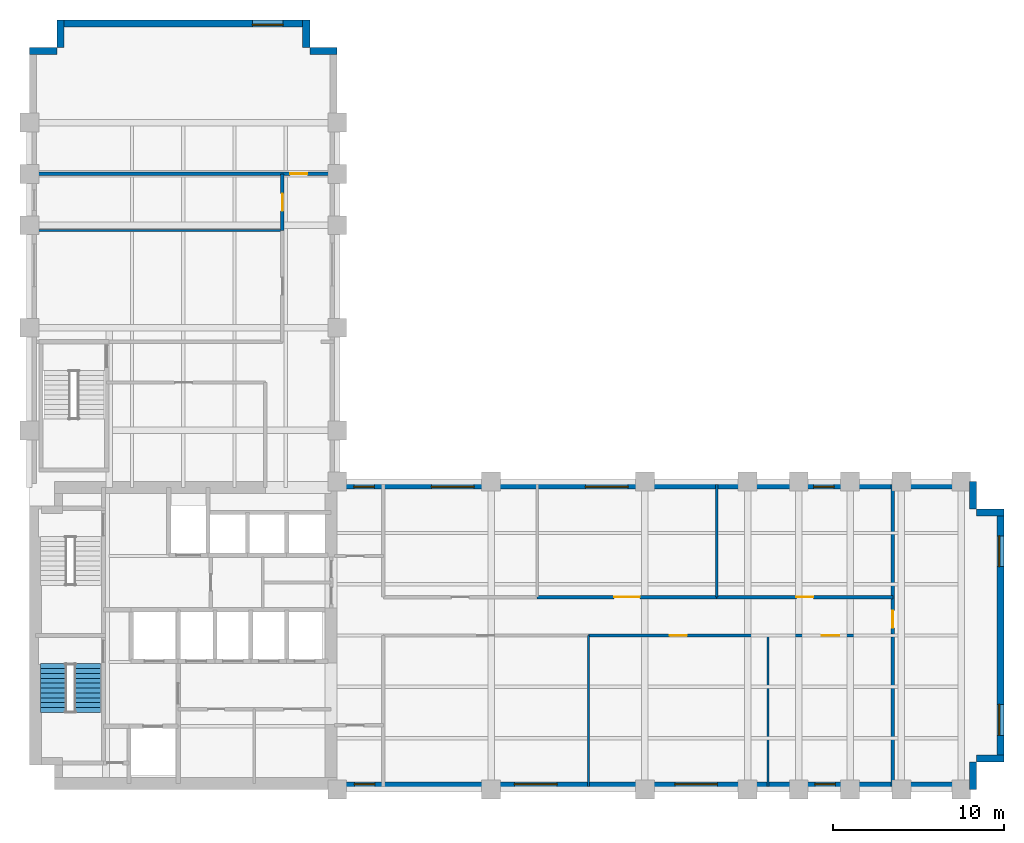
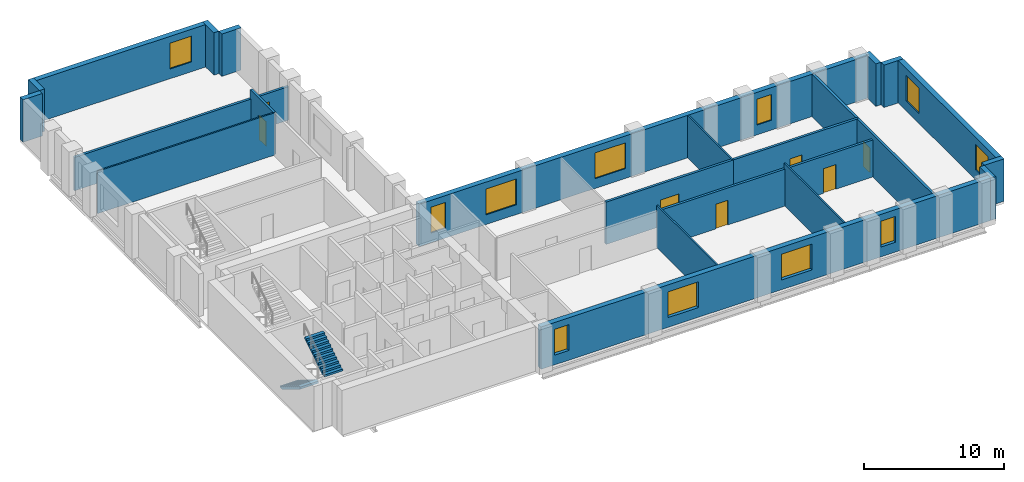
# One storey, part 5 of 7: 23 walls, 11 windows, 7 doors, 2 stair flights, 18 openings, 1 element without a shape of its own.
"""IFC4 building model written with IfcOpenShell, lengths in metres."""

from ifc_helpers import new_model, si_unit, direction, frame, frame_2d, origin, place, context, subcontext, project, spatial, polyline, rectangle, outline, extrude, material, layer, layer_set, type_object, element, fill, aggregate, save


model = new_model("IFC4")

# Units and contexts
model_context = context("Model", 3, precision=1e-05, world=origin(), true_north=direction((0.0, 1.0)))
body_context = subcontext(model_context, "Body", "Model", "MODEL_VIEW")
ifc_project = project(units=[si_unit("LENGTHUNIT", "METRE"), si_unit("AREAUNIT", "SQUARE_METRE"), si_unit("VOLUMEUNIT", "CUBIC_METRE"), si_unit("PLANEANGLEUNIT", "RADIAN"), si_unit("MASSUNIT", "GRAM", prefix="KILO")], contexts=[model_context])

# Site, building, storey
site_placement = place(None, origin())
site = spatial("IfcSite", under=ifc_project, at=site_placement, CompositionType="ELEMENT")
building_placement = place(site_placement, origin())
building = spatial("IfcBuilding", under=site, at=building_placement, Name="Mawjdan Bourse Tower", CompositionType="ELEMENT")
storey_placement = place(building_placement, frame((0.0, 0.0, 116.699951171875)))
storey = spatial("IfcBuildingStorey", under=building, at=storey_placement, Name="L27", CompositionType="ELEMENT", Elevation=116.699951171875)

# Wall, openings, windows
ifc_material_1 = material(Name="Brick Masonry Buff", Category="masonry")
ifc_layer_1 = layer(ifc_material_1, 0.419921875)
ifc_layer_set_1 = layer_set([ifc_layer_1], Name="Brick Masonry Buff")
wall_type_1 = type_object("IfcWallType", Name="WL-BRK-BUFF-420", PredefinedType="STANDARD", material=ifc_layer_set_1)
wall_1_placement = place(storey_placement, frame((23.89990234375, 3.2099609375, 0.0), z_axis=(0.0, 0.0, 1.0), x_axis=(1.0, 0.0, 0.0)))
wall_1 = element("IfcWall", 1, at=wall_1_placement, inside=storey, type_object=wall_type_1, Name="L27 Exterior Brick Wall 1", PredefinedType="STANDARD", context=body_context, shape_type="SweptSolid", body=[
    extrude(rectangle(XDim=37.5, YDim=0.419921875, at=frame_2d((18.75, 0.0))), origin(), (0.0, 0.0, 1.0), 3.699951171875),
])
opening_1_placement = place(wall_1_placement, frame((10.46875, 0.0, 0.85009765625)))
opening_1 = element("IfcOpeningElement", 2, at=opening_1_placement, cuts=wall_1, Name="Opening W-L27-01", PredefinedType="OPENING", context=body_context, shape_type="SweptSolid", body=[
    extrude(rectangle(XDim=2.5, YDim=2.25, at=frame_2d((1.25, 1.125))), frame((0.0, 0.219970703125, 0.0), z_axis=(0.0, -1.0, 0.0), x_axis=(1.0, 0.0, 0.0)), (0.0, 0.0, 1.0), 0.43994140625),
])
opening_2_placement = place(wall_1_placement, frame((19.84375, 0.0, 0.85009765625)))
opening_2 = element("IfcOpeningElement", 3, at=opening_2_placement, cuts=wall_1, Name="Opening W-L27-02", PredefinedType="OPENING", context=body_context, shape_type="SweptSolid", body=[
    extrude(rectangle(XDim=2.5, YDim=2.25, at=frame_2d((1.25, 1.125))), frame((0.0, 0.219970703125, 0.0), z_axis=(0.0, -1.0, 0.0), x_axis=(1.0, 0.0, 0.0)), (0.0, 0.0, 1.0), 0.43994140625),
])
opening_3_placement = place(wall_1_placement, frame((1.10009765625, 0.0, 0.85009765625)))
opening_3 = element("IfcOpeningElement", 4, at=opening_3_placement, cuts=wall_1, Name="Opening W-L27-08", PredefinedType="OPENING", context=body_context, shape_type="SweptSolid", body=[
    extrude(rectangle(XDim=1.199951171875, YDim=2.25, at=frame_2d((0.60009765625, 1.125))), frame((0.0, 0.219970703125, 0.0), z_axis=(0.0, -1.0, 0.0), x_axis=(1.0, 0.0, 0.0)), (0.0, 0.0, 1.0), 0.43994140625),
])
opening_4_placement = place(wall_1_placement, frame((28.0361328125, 0.0, 0.85009765625)))
opening_4 = element("IfcOpeningElement", 5, at=opening_4_placement, cuts=wall_1, Name="Opening W-L27-10", PredefinedType="OPENING", context=body_context, shape_type="SweptSolid", body=[
    extrude(rectangle(XDim=1.199951171875, YDim=2.25, at=frame_2d((0.60009765625, 1.125))), frame((0.0, 0.219970703125, 0.0), z_axis=(0.0, -1.0, 0.0), x_axis=(1.0, 0.0, 0.0)), (0.0, 0.0, 1.0), 0.43994140625),
])
ifc_material_2 = material(Name="Solar-Control Clear Double Glazing", Category="glass")
window_type_1 = type_object("IfcWindowType", Name="WN-Z2-1200", PartitioningType="SINGLE_PANEL", PredefinedType="WINDOW", material=ifc_material_2)
window_1_placement = place(opening_3_placement, origin())
window_1 = element("IfcWindow", 6, at=window_1_placement, inside=storey, type_object=window_type_1, Name="L27 Deep-Set Masonry Window W-L27-08", OverallHeight=2.25, OverallWidth=1.199951171875, PartitioningType="SINGLE_PANEL", PredefinedType="WINDOW", context=body_context, shape_type="SweptSolid", body=[
    extrude(rectangle(XDim=1.199951171875, YDim=2.25, at=frame_2d((0.60009765625, 1.125))), frame((0.0, 0.110107421875, 0.0), z_axis=(0.0, -1.0, 0.0), x_axis=(1.0, 0.0, 0.0)), (0.0, 0.0, 1.0), 0.06005859375),
])
fill(opening_3, window_1)
window_2_placement = place(opening_4_placement, origin())
window_2 = element("IfcWindow", 7, at=window_2_placement, inside=storey, type_object=window_type_1, Name="L27 Deep-Set Masonry Window W-L27-10", OverallHeight=2.25, OverallWidth=1.199951171875, PartitioningType="SINGLE_PANEL", PredefinedType="WINDOW", context=body_context, shape_type="SweptSolid", body=[
    extrude(rectangle(XDim=1.199951171875, YDim=2.25, at=frame_2d((0.60009765625, 1.125))), frame((0.0, 0.110107421875, 0.0), z_axis=(0.0, -1.0, 0.0), x_axis=(1.0, 0.0, 0.0)), (0.0, 0.0, 1.0), 0.06005859375),
])
fill(opening_4, window_2)
window_type_2 = type_object("IfcWindowType", Name="WN-Z2-2500", PartitioningType="SINGLE_PANEL", PredefinedType="WINDOW", material=ifc_material_2)
window_3_placement = place(opening_1_placement, origin())
window_3 = element("IfcWindow", 8, at=window_3_placement, inside=storey, type_object=window_type_2, Name="L27 Deep-Set Masonry Window W-L27-01", OverallHeight=2.25, OverallWidth=2.5, PartitioningType="SINGLE_PANEL", PredefinedType="WINDOW", context=body_context, shape_type="SweptSolid", body=[
    extrude(rectangle(XDim=2.5, YDim=2.25, at=frame_2d((1.25, 1.125))), frame((0.0, 0.110107421875, 0.0), z_axis=(0.0, -1.0, 0.0), x_axis=(1.0, 0.0, 0.0)), (0.0, 0.0, 1.0), 0.06005859375),
])
fill(opening_1, window_3)
window_4_placement = place(opening_2_placement, origin())
window_4 = element("IfcWindow", 9, at=window_4_placement, inside=storey, type_object=window_type_2, Name="L27 Deep-Set Masonry Window W-L27-02", OverallHeight=2.25, OverallWidth=2.5, PartitioningType="SINGLE_PANEL", PredefinedType="WINDOW", context=body_context, shape_type="SweptSolid", body=[
    extrude(rectangle(XDim=2.5, YDim=2.25, at=frame_2d((1.25, 1.125))), frame((0.0, 0.110107421875, 0.0), z_axis=(0.0, -1.0, 0.0), x_axis=(1.0, 0.0, 0.0)), (0.0, 0.0, 1.0), 0.06005859375),
])
fill(opening_2, window_4)

# Walls
for number, where, z_axis, x_axis, name in (
    (10, (61.18994140625, 3.0, 0.0), (0.0, 0.0, 1.0), (0.0, 1.0, 0.0), "L27 Exterior Brick Wall 2"),
    (11, (61.39990234375, 4.81005859375, 0.0), (0.0, 0.0, 1.0), (1.0, 0.0, 0.0), "L27 Exterior Brick Wall 3"),
):
    element("IfcWall", number, at=place(storey_placement, frame(where, z_axis=z_axis, x_axis=x_axis)), inside=storey, type_object=wall_type_1, Name=name, PredefinedType="STANDARD", context=body_context, shape_type="SweptSolid", body=[
        extrude(rectangle(XDim=1.60009765625, YDim=0.419921875, at=frame_2d((0.800048828125, 0.0))), origin(), (0.0, 0.0, 1.0), 3.699951171875),
    ])

# Wall, openings, windows
wall_2_placement = place(storey_placement, frame((62.7900390625, 4.60009765625, 0.0), z_axis=(0.0, 0.0, 1.0), x_axis=(0.0, 1.0, 0.0)))
wall_2 = element("IfcWall", 12, at=wall_2_placement, inside=storey, type_object=wall_type_1, Name="L27 Exterior Brick Wall 4", PredefinedType="STANDARD", context=body_context, shape_type="SweptSolid", body=[
    extrude(rectangle(XDim=14.7998046875, YDim=0.419921875, at=frame_2d((7.39990234375, 0.0))), origin(), (0.0, 0.0, 1.0), 3.699951171875),
])
opening_5_placement = place(wall_2_placement, frame((1.566650390625, 0.0, 0.85009765625)))
opening_5 = element("IfcOpeningElement", 13, at=opening_5_placement, cuts=wall_2, Name="Opening W-L27-03", PredefinedType="OPENING", context=body_context, shape_type="SweptSolid", body=[
    extrude(rectangle(XDim=1.800048828125, YDim=2.25, at=frame_2d((0.89990234375, 1.125))), frame((0.0, 0.219970703125, 0.0), z_axis=(0.0, -1.0, 0.0), x_axis=(1.0, 0.0, 0.0)), (0.0, 0.0, 1.0), 0.43994140625),
])
opening_6_placement = place(wall_2_placement, frame((11.433349609375, 0.0, 0.85009765625)))
opening_6 = element("IfcOpeningElement", 14, at=opening_6_placement, cuts=wall_2, Name="Opening W-L27-04", PredefinedType="OPENING", context=body_context, shape_type="SweptSolid", body=[
    extrude(rectangle(XDim=1.800048828125, YDim=2.25, at=frame_2d((0.89990234375, 1.125))), frame((0.0, 0.219970703125, 0.0), z_axis=(0.0, -1.0, 0.0), x_axis=(1.0, 0.0, 0.0)), (0.0, 0.0, 1.0), 0.43994140625),
])
window_type_3 = type_object("IfcWindowType", Name="WN-Z2-1800", PartitioningType="SINGLE_PANEL", PredefinedType="WINDOW", material=ifc_material_2)
window_5_placement = place(opening_5_placement, origin())
window_5 = element("IfcWindow", 15, at=window_5_placement, inside=storey, type_object=window_type_3, Name="L27 Deep-Set Masonry Window W-L27-03", OverallHeight=2.25, OverallWidth=1.800048828125, PartitioningType="SINGLE_PANEL", PredefinedType="WINDOW", context=body_context, shape_type="SweptSolid", body=[
    extrude(rectangle(XDim=1.800048828125, YDim=2.25, at=frame_2d((0.89990234375, 1.125))), frame((0.0, 0.110107421875, 0.0), z_axis=(0.0, -1.0, 0.0), x_axis=(1.0, 0.0, 0.0)), (0.0, 0.0, 1.0), 0.06005859375),
])
fill(opening_5, window_5)
window_6_placement = place(opening_6_placement, origin())
window_6 = element("IfcWindow", 16, at=window_6_placement, inside=storey, type_object=window_type_3, Name="L27 Deep-Set Masonry Window W-L27-04", OverallHeight=2.25, OverallWidth=1.800048828125, PartitioningType="SINGLE_PANEL", PredefinedType="WINDOW", context=body_context, shape_type="SweptSolid", body=[
    extrude(rectangle(XDim=1.800048828125, YDim=2.25, at=frame_2d((0.89990234375, 1.125))), frame((0.0, 0.110107421875, 0.0), z_axis=(0.0, -1.0, 0.0), x_axis=(1.0, 0.0, 0.0)), (0.0, 0.0, 1.0), 0.06005859375),
])
fill(opening_6, window_6)

# Walls
for number, where, z_axis, x_axis, name in (
    (17, (63.0, 19.18994140625, 0.0), (0.0, 0.0, 1.0), (-1.0, 0.0, 0.0), "L27 Exterior Brick Wall 5"),
    (18, (61.18994140625, 19.39990234375, 0.0), (0.0, 0.0, 1.0), (0.0, 1.0, 0.0), "L27 Exterior Brick Wall 6"),
):
    element("IfcWall", number, at=place(storey_placement, frame(where, z_axis=z_axis, x_axis=x_axis)), inside=storey, type_object=wall_type_1, Name=name, PredefinedType="STANDARD", context=body_context, shape_type="SweptSolid", body=[
        extrude(rectangle(XDim=1.60009765625, YDim=0.419921875, at=frame_2d((0.800048828125, 0.0))), origin(), (0.0, 0.0, 1.0), 3.699951171875),
    ])

# Wall, openings, windows
wall_3_placement = place(storey_placement, frame((61.39990234375, 20.7900390625, 0.0), z_axis=(0.0, 0.0, 1.0), x_axis=(-1.0, 0.0, 0.0)))
wall_3 = element("IfcWall", 19, at=wall_3_placement, inside=storey, type_object=wall_type_1, Name="L27 Exterior Brick Wall 7", PredefinedType="STANDARD", context=body_context, shape_type="SweptSolid", body=[
    extrude(rectangle(XDim=37.39990234375, YDim=0.419921875, at=frame_2d((18.699951171875, 0.0))), origin(), (0.0, 0.0, 1.0), 3.699951171875),
])
opening_7_placement = place(wall_3_placement, frame((35.22216796875, 0.0, 0.85009765625)))
opening_7 = element("IfcOpeningElement", 20, at=opening_7_placement, cuts=wall_3, Name="Opening W-L27-09", PredefinedType="OPENING", context=body_context, shape_type="SweptSolid", body=[
    extrude(rectangle(XDim=1.199951171875, YDim=2.25, at=frame_2d((0.60009765625, 1.125))), frame((0.0, 0.219970703125, 0.0), z_axis=(0.0, -1.0, 0.0), x_axis=(1.0, 0.0, 0.0)), (0.0, 0.0, 1.0), 0.43994140625),
])
opening_8_placement = place(wall_3_placement, frame((29.38623046875, 0.0, 0.85009765625)))
opening_8 = element("IfcOpeningElement", 21, at=opening_8_placement, cuts=wall_3, Name="Opening W-L27-11", PredefinedType="OPENING", context=body_context, shape_type="SweptSolid", body=[
    extrude(rectangle(XDim=2.5, YDim=2.25, at=frame_2d((1.25, 1.125))), frame((0.0, 0.219970703125, 0.0), z_axis=(0.0, -1.0, 0.0), x_axis=(1.0, 0.0, 0.0)), (0.0, 0.0, 1.0), 0.43994140625),
])
opening_9_placement = place(wall_3_placement, frame((20.38623046875, 0.0, 0.85009765625)))
opening_9 = element("IfcOpeningElement", 22, at=opening_9_placement, cuts=wall_3, Name="Opening W-L27-12", PredefinedType="OPENING", context=body_context, shape_type="SweptSolid", body=[
    extrude(rectangle(XDim=2.5, YDim=2.25, at=frame_2d((1.25, 1.125))), frame((0.0, 0.219970703125, 0.0), z_axis=(0.0, -1.0, 0.0), x_axis=(1.0, 0.0, 0.0)), (0.0, 0.0, 1.0), 0.43994140625),
])
opening_10_placement = place(wall_3_placement, frame((8.336181640625, 0.0, 0.85009765625)))
opening_10 = element("IfcOpeningElement", 23, at=opening_10_placement, cuts=wall_3, Name="Opening W-L27-13", PredefinedType="OPENING", context=body_context, shape_type="SweptSolid", body=[
    extrude(rectangle(XDim=1.199951171875, YDim=2.25, at=frame_2d((0.60009765625, 1.125))), frame((0.0, 0.219970703125, 0.0), z_axis=(0.0, -1.0, 0.0), x_axis=(1.0, 0.0, 0.0)), (0.0, 0.0, 1.0), 0.43994140625),
])
window_7_placement = place(opening_7_placement, origin())
window_7 = element("IfcWindow", 24, at=window_7_placement, inside=storey, type_object=window_type_1, Name="L27 Deep-Set Masonry Window W-L27-09", OverallHeight=2.25, OverallWidth=1.199951171875, PartitioningType="SINGLE_PANEL", PredefinedType="WINDOW", context=body_context, shape_type="SweptSolid", body=[
    extrude(rectangle(XDim=1.199951171875, YDim=2.25, at=frame_2d((0.60009765625, 1.125))), frame((0.0, 0.110107421875, 0.0), z_axis=(0.0, -1.0, 0.0), x_axis=(1.0, 0.0, 0.0)), (0.0, 0.0, 1.0), 0.06005859375),
])
fill(opening_7, window_7)
window_8_placement = place(opening_10_placement, origin())
window_8 = element("IfcWindow", 25, at=window_8_placement, inside=storey, type_object=window_type_1, Name="L27 Deep-Set Masonry Window W-L27-13", OverallHeight=2.25, OverallWidth=1.199951171875, PartitioningType="SINGLE_PANEL", PredefinedType="WINDOW", context=body_context, shape_type="SweptSolid", body=[
    extrude(rectangle(XDim=1.199951171875, YDim=2.25, at=frame_2d((0.60009765625, 1.125))), frame((0.0, 0.110107421875, 0.0), z_axis=(0.0, -1.0, 0.0), x_axis=(1.0, 0.0, 0.0)), (0.0, 0.0, 1.0), 0.06005859375),
])
fill(opening_10, window_8)
window_9_placement = place(opening_8_placement, origin())
window_9 = element("IfcWindow", 26, at=window_9_placement, inside=storey, type_object=window_type_2, Name="L27 Deep-Set Masonry Window W-L27-11", OverallHeight=2.25, OverallWidth=2.5, PartitioningType="SINGLE_PANEL", PredefinedType="WINDOW", context=body_context, shape_type="SweptSolid", body=[
    extrude(rectangle(XDim=2.5, YDim=2.25, at=frame_2d((1.25, 1.125))), frame((0.0, 0.110107421875, 0.0), z_axis=(0.0, -1.0, 0.0), x_axis=(1.0, 0.0, 0.0)), (0.0, 0.0, 1.0), 0.06005859375),
])
fill(opening_8, window_9)
window_10_placement = place(opening_9_placement, origin())
window_10 = element("IfcWindow", 27, at=window_10_placement, inside=storey, type_object=window_type_2, Name="L27 Deep-Set Masonry Window W-L27-12", OverallHeight=2.25, OverallWidth=2.5, PartitioningType="SINGLE_PANEL", PredefinedType="WINDOW", context=body_context, shape_type="SweptSolid", body=[
    extrude(rectangle(XDim=2.5, YDim=2.25, at=frame_2d((1.25, 1.125))), frame((0.0, 0.110107421875, 0.0), z_axis=(0.0, -1.0, 0.0), x_axis=(1.0, 0.0, 0.0)), (0.0, 0.0, 1.0), 0.06005859375),
])
fill(opening_9, window_10)

# Walls
for number, where, z_axis, x_axis, name in (
    (28, (24.0, 46.18994140625, 0.0), (0.0, 0.0, 1.0), (-1.0, 0.0, 0.0), "L27 Exterior Brick Wall 9"),
    (29, (22.18994140625, 46.39990234375, 0.0), (0.0, 0.0, 1.0), (0.0, 1.0, 0.0), "L27 Exterior Brick Wall 10"),
):
    element("IfcWall", number, at=place(storey_placement, frame(where, z_axis=z_axis, x_axis=x_axis)), inside=storey, type_object=wall_type_1, Name=name, PredefinedType="STANDARD", context=body_context, shape_type="SweptSolid", body=[
        extrude(rectangle(XDim=1.60009765625, YDim=0.419921875, at=frame_2d((0.800048828125, 0.0))), origin(), (0.0, 0.0, 1.0), 3.699951171875),
    ])

# Wall, opening, window
wall_4_placement = place(storey_placement, frame((22.39990234375, 47.7900390625, 0.0), z_axis=(0.0, 0.0, 1.0), x_axis=(-1.0, 0.0, 0.0)))
wall_4 = element("IfcWall", 30, at=wall_4_placement, inside=storey, type_object=wall_type_1, Name="L27 Exterior Brick Wall 11", PredefinedType="STANDARD", context=body_context, shape_type="SweptSolid", body=[
    extrude(rectangle(XDim=14.7998046875, YDim=0.419921875, at=frame_2d((7.39990234375, 0.0))), origin(), (0.0, 0.0, 1.0), 3.699951171875),
])
opening_11_placement = place(wall_4_placement, frame((1.566650390625, 0.0, 0.85009765625)))
opening_11 = element("IfcOpeningElement", 31, at=opening_11_placement, cuts=wall_4, Name="Opening W-L27-06", PredefinedType="OPENING", context=body_context, shape_type="SweptSolid", body=[
    extrude(rectangle(XDim=1.800048828125, YDim=2.25, at=frame_2d((0.89990234375, 1.125))), frame((0.0, 0.219970703125, 0.0), z_axis=(0.0, -1.0, 0.0), x_axis=(1.0, 0.0, 0.0)), (0.0, 0.0, 1.0), 0.43994140625),
])
window_11_placement = place(opening_11_placement, origin())
window_11 = element("IfcWindow", 32, at=window_11_placement, inside=storey, type_object=window_type_3, Name="L27 Deep-Set Masonry Window W-L27-06", OverallHeight=2.25, OverallWidth=1.800048828125, PartitioningType="SINGLE_PANEL", PredefinedType="WINDOW", context=body_context, shape_type="SweptSolid", body=[
    extrude(rectangle(XDim=1.800048828125, YDim=2.25, at=frame_2d((0.89990234375, 1.125))), frame((0.0, 0.110107421875, 0.0), z_axis=(0.0, -1.0, 0.0), x_axis=(1.0, 0.0, 0.0)), (0.0, 0.0, 1.0), 0.06005859375),
])
fill(opening_11, window_11)

# Walls
for number, where, z_axis, x_axis, name in (
    (33, (7.81005859375, 48.0, 0.0), (0.0, 0.0, 1.0), (0.0, -1.0, 0.0), "L27 Exterior Brick Wall 12"),
    (34, (7.60009765625, 46.18994140625, 0.0), (0.0, 0.0, 1.0), (-1.0, 0.0, 0.0), "L27 Exterior Brick Wall 13"),
):
    element("IfcWall", number, at=place(storey_placement, frame(where, z_axis=z_axis, x_axis=x_axis)), inside=storey, type_object=wall_type_1, Name=name, PredefinedType="STANDARD", context=body_context, shape_type="SweptSolid", body=[
        extrude(rectangle(XDim=1.60009765625, YDim=0.419921875, at=frame_2d((0.800048828125, 0.0))), origin(), (0.0, 0.0, 1.0), 3.699951171875),
    ])

# Wall, opening, door
ifc_material_3 = material(Name="Gypsum Fireboard Assembly")
ifc_layer_2 = layer(ifc_material_3, 0.199951171875)
ifc_layer_set_2 = layer_set([ifc_layer_2], Name="Gypsum Fireboard Assembly")
wall_type_2 = type_object("IfcWallType", Name="WL-CMP-200", PredefinedType="PARTITIONING", material=ifc_layer_set_2)
wall_5_placement = place(storey_placement, frame((38.699951171875, 12.0, 0.0), z_axis=(0.0, 0.0, 1.0), x_axis=(1.0, 0.0, 0.0)))
wall_5 = element("IfcWall", 35, at=wall_5_placement, inside=storey, type_object=wall_type_2, Name="L27 Corporate Finance Office Corridor Wall", PredefinedType="PARTITIONING", context=body_context, shape_type="SweptSolid", body=[
    extrude(rectangle(XDim=10.5, YDim=0.199951171875, at=frame_2d((5.25, 0.0))), origin(), (0.0, 0.0, 1.0), 3.22705078125),
])
opening_12_placement = place(wall_5_placement, frame((4.75, 0.0, 0.0)))
opening_12 = element("IfcOpeningElement", 36, at=opening_12_placement, cuts=wall_5, Name="Opening D-L27-23", PredefinedType="OPENING", context=body_context, shape_type="SweptSolid", body=[
    extrude(rectangle(XDim=1.0, YDim=2.14990234375, at=frame_2d((0.5, 1.074951171875))), frame((0.0, 0.10986328125, 0.0), z_axis=(0.0, -1.0, 0.0), x_axis=(1.0, 0.0, 0.0)), (0.0, 0.0, 1.0), 0.219970703125),
])
ifc_material_4 = material(Name="Hardwood Acoustic Leaf", Category="wood")
door_type_1 = type_object("IfcDoorType", Name="DR-OFC-1000", OperationType="NOTDEFINED", PredefinedType="DOOR", material=ifc_material_4)
door_1_placement = place(opening_12_placement, origin())
door_1 = element("IfcDoor", 37, at=door_1_placement, inside=storey, type_object=door_type_1, Name="L27 Corporate Finance Office Door D-L27-23", OperationType="SINGLE_SWING_LEFT", OverallHeight=2.14990234375, OverallWidth=1.0, PredefinedType="DOOR", context=body_context, shape_type="SweptSolid", body=[
    extrude(rectangle(XDim=1.0, YDim=2.14990234375, at=frame_2d((0.5, 1.074951171875))), frame((0.0, 0.02490234375, 0.0), z_axis=(0.0, -1.0, 0.0), x_axis=(1.0, 0.0, 0.0)), (0.0, 0.0, 1.0), 0.050048828125),
])
fill(opening_12, door_1)

wall_6_placement = place(storey_placement, frame((49.199951171875, 12.0, 0.0), z_axis=(0.0, 0.0, 1.0), x_axis=(1.0, 0.0, 0.0)))
wall_6 = element("IfcWall", 38, at=wall_6_placement, inside=storey, type_object=wall_type_2, Name="L27 Executive Office Corridor Wall", PredefinedType="PARTITIONING", context=body_context, shape_type="SweptSolid", body=[
    extrude(rectangle(XDim=7.300048828125, YDim=0.199951171875, at=frame_2d((3.64990234375, 0.0))), origin(), (0.0, 0.0, 1.0), 3.22705078125),
])
opening_13_placement = place(wall_6_placement, frame((3.14990234375, 0.0, 0.0)))
opening_13 = element("IfcOpeningElement", 39, at=opening_13_placement, cuts=wall_6, Name="Opening D-L27-24", PredefinedType="OPENING", context=body_context, shape_type="SweptSolid", body=[
    extrude(rectangle(XDim=1.0, YDim=2.14990234375, at=frame_2d((0.5, 1.074951171875))), frame((0.0, 0.10986328125, 0.0), z_axis=(0.0, -1.0, 0.0), x_axis=(1.0, 0.0, 0.0)), (0.0, 0.0, 1.0), 0.219970703125),
])
door_2_placement = place(opening_13_placement, origin())
door_2 = element("IfcDoor", 40, at=door_2_placement, inside=storey, type_object=door_type_1, Name="L27 Executive Office Door D-L27-24", OperationType="SINGLE_SWING_RIGHT", OverallHeight=2.14990234375, OverallWidth=1.0, PredefinedType="DOOR", context=body_context, shape_type="SweptSolid", body=[
    extrude(rectangle(XDim=1.0, YDim=2.14990234375, at=frame_2d((0.5, 1.074951171875))), frame((0.0, 0.02490234375, 0.0), z_axis=(0.0, -1.0, 0.0), x_axis=(1.0, 0.0, 0.0)), (0.0, 0.0, 1.0), 0.050048828125),
])
fill(opening_13, door_2)

wall_7_placement = place(storey_placement, frame((35.699951171875, 14.25, 0.0), z_axis=(0.0, 0.0, 1.0), x_axis=(1.0, 0.0, 0.0)))
wall_7 = element("IfcWall", 41, at=wall_7_placement, inside=storey, type_object=wall_type_2, Name="L27 Conference Room Corridor Wall", PredefinedType="PARTITIONING", context=body_context, shape_type="SweptSolid", body=[
    extrude(rectangle(XDim=10.5, YDim=0.199951171875, at=frame_2d((5.25, 0.0))), origin(), (0.0, 0.0, 1.0), 3.68994140625),
])
opening_14_placement = place(wall_7_placement, frame((4.5, 0.0, 0.0)))
opening_14 = element("IfcOpeningElement", 42, at=opening_14_placement, cuts=wall_7, Name="Opening D-L27-26", PredefinedType="OPENING", context=body_context, shape_type="SweptSolid", body=[
    extrude(rectangle(XDim=1.5, YDim=2.300048828125, at=frame_2d((0.75, 1.14990234375))), frame((0.0, 0.10986328125, 0.0), z_axis=(0.0, -1.0, 0.0), x_axis=(1.0, 0.0, 0.0)), (0.0, 0.0, 1.0), 0.219970703125),
])
ifc_material_5 = material(Name="Acoustic Glazed Timber", Category="wood")
door_type_2 = type_object("IfcDoorType", Name="DR-CNF-1500", OperationType="DOUBLE_DOOR_SINGLE_SWING", PredefinedType="DOOR", material=ifc_material_5)
door_3_placement = place(opening_14_placement, origin())
door_3 = element("IfcDoor", 43, at=door_3_placement, inside=storey, type_object=door_type_2, Name="L27 Conference Room Door D-L27-26", OperationType="DOUBLE_DOOR_SINGLE_SWING", OverallHeight=2.300048828125, OverallWidth=1.5, PredefinedType="DOOR", context=body_context, shape_type="SweptSolid", body=[
    extrude(rectangle(XDim=1.5, YDim=2.300048828125, at=frame_2d((0.75, 1.14990234375))), frame((0.0, 0.02490234375, 0.0), z_axis=(0.0, -1.0, 0.0), x_axis=(1.0, 0.0, 0.0)), (0.0, 0.0, 1.0), 0.050048828125),
])
fill(opening_14, door_3)

wall_8_placement = place(storey_placement, frame((46.199951171875, 14.25, 0.0), z_axis=(0.0, 0.0, 1.0), x_axis=(1.0, 0.0, 0.0)))
wall_8 = element("IfcWall", 44, at=wall_8_placement, inside=storey, type_object=wall_type_2, Name="L27 Legal Archive Library Corridor Wall", PredefinedType="PARTITIONING", context=body_context, shape_type="SweptSolid", body=[
    extrude(rectangle(XDim=10.300048828125, YDim=0.199951171875, at=frame_2d((5.14990234375, 0.0))), origin(), (0.0, 0.0, 1.0), 3.68994140625),
])
opening_15_placement = place(wall_8_placement, frame((4.64990234375, 0.0, 0.0)))
opening_15 = element("IfcOpeningElement", 45, at=opening_15_placement, cuts=wall_8, Name="Opening D-L27-27", PredefinedType="OPENING", context=body_context, shape_type="SweptSolid", body=[
    extrude(rectangle(XDim=1.0, YDim=2.14990234375, at=frame_2d((0.5, 1.074951171875))), frame((0.0, 0.10986328125, 0.0), z_axis=(0.0, -1.0, 0.0), x_axis=(1.0, 0.0, 0.0)), (0.0, 0.0, 1.0), 0.219970703125),
])
door_4_placement = place(opening_15_placement, origin())
door_4 = element("IfcDoor", 46, at=door_4_placement, inside=storey, type_object=door_type_1, Name="L27 Legal Archive Library Door D-L27-27", OperationType="SINGLE_SWING_RIGHT", OverallHeight=2.14990234375, OverallWidth=1.0, PredefinedType="DOOR", context=body_context, shape_type="SweptSolid", body=[
    extrude(rectangle(XDim=1.0, YDim=2.14990234375, at=frame_2d((0.5, 1.074951171875))), frame((0.0, 0.02490234375, 0.0), z_axis=(0.0, -1.0, 0.0), x_axis=(1.0, 0.0, 0.0)), (0.0, 0.0, 1.0), 0.050048828125),
])
fill(opening_15, door_4)

wall_9_placement = place(storey_placement, frame((56.5, 3.179931640625, 0.0), z_axis=(0.0, 0.0, 1.0), x_axis=(0.0, 1.0, 0.0)))
wall_9 = element("IfcWall", 47, at=wall_9_placement, inside=storey, type_object=wall_type_2, Name="L27 East Tip Full Cross Wall", PredefinedType="PARTITIONING", context=body_context, shape_type="SweptSolid", body=[
    extrude(rectangle(XDim=17.64013671875, YDim=0.199951171875, at=frame_2d((8.820068359375, 0.0))), origin(), (0.0, 0.0, 1.0), 3.68994140625),
])
opening_16_placement = place(wall_9_placement, frame((9.27490234375, 0.0, 0.0)))
opening_16 = element("IfcOpeningElement", 48, at=opening_16_placement, cuts=wall_9, Name="Opening D-L27-28", PredefinedType="OPENING", context=body_context, shape_type="SweptSolid", body=[
    extrude(rectangle(XDim=1.0, YDim=2.14990234375, at=frame_2d((0.5, 1.074951171875))), frame((0.0, 0.10986328125, 0.0), z_axis=(0.0, -1.0, 0.0), x_axis=(1.0, 0.0, 0.0)), (0.0, 0.0, 1.0), 0.219970703125),
])
door_5_placement = place(opening_16_placement, origin())
door_5 = element("IfcDoor", 49, at=door_5_placement, inside=storey, type_object=door_type_1, Name="L27 East Tip Hall Door D-L27-28", OperationType="SINGLE_SWING_LEFT", OverallHeight=2.14990234375, OverallWidth=1.0, PredefinedType="DOOR", context=body_context, shape_type="SweptSolid", body=[
    extrude(rectangle(XDim=1.0, YDim=2.14990234375, at=frame_2d((0.5, 1.074951171875))), frame((0.0, 0.02490234375, 0.0), z_axis=(0.0, -1.0, 0.0), x_axis=(1.0, 0.0, 0.0)), (0.0, 0.0, 1.0), 0.050048828125),
])
fill(opening_16, door_5)

wall_10_placement = place(storey_placement, frame((20.800048828125, 35.679931640625, 0.0), z_axis=(0.0, 0.0, 1.0), x_axis=(0.0, 1.0, 0.0)))
wall_10 = element("IfcWall", 50, at=wall_10_placement, inside=storey, type_object=wall_type_2, Name="L27 Executive Office Corridor Wall", PredefinedType="PARTITIONING", context=body_context, shape_type="SweptSolid", body=[
    extrude(rectangle(XDim=3.320068359375, YDim=0.199951171875, at=frame_2d((1.66015625, 0.0))), origin(), (0.0, 0.0, 1.0), 3.68994140625),
])
opening_17_placement = place(wall_10_placement, frame((1.159912109375, 0.0, 0.0)))
opening_17 = element("IfcOpeningElement", 51, at=opening_17_placement, cuts=wall_10, Name="Opening D-L27-31", PredefinedType="OPENING", context=body_context, shape_type="SweptSolid", body=[
    extrude(rectangle(XDim=1.0, YDim=2.14990234375, at=frame_2d((0.5, 1.074951171875))), frame((0.0, 0.10986328125, 0.0), z_axis=(0.0, -1.0, 0.0), x_axis=(1.0, 0.0, 0.0)), (0.0, 0.0, 1.0), 0.219970703125),
])
door_6_placement = place(opening_17_placement, origin())
door_6 = element("IfcDoor", 52, at=door_6_placement, inside=storey, type_object=door_type_1, Name="L27 Executive Office Door D-L27-31", OperationType="SINGLE_SWING_RIGHT", OverallHeight=2.14990234375, OverallWidth=1.0, PredefinedType="DOOR", context=body_context, shape_type="SweptSolid", body=[
    extrude(rectangle(XDim=1.0, YDim=2.14990234375, at=frame_2d((0.5, 1.074951171875))), frame((0.0, 0.02490234375, 0.0), z_axis=(0.0, -1.0, 0.0), x_axis=(1.0, 0.0, 0.0)), (0.0, 0.0, 1.0), 0.050048828125),
])
fill(opening_17, door_6)

wall_11_placement = place(storey_placement, frame((6.179931640625, 39.0, 0.0), z_axis=(0.0, 0.0, 1.0), x_axis=(1.0, 0.0, 0.0)))
wall_11 = element("IfcWall", 53, at=wall_11_placement, inside=storey, type_object=wall_type_2, Name="L27 North Tip Full Cross Wall", PredefinedType="PARTITIONING", context=body_context, shape_type="SweptSolid", body=[
    extrude(rectangle(XDim=17.64013671875, YDim=0.199951171875, at=frame_2d((8.820068359375, 0.0))), origin(), (0.0, 0.0, 1.0), 2.9169921875),
])
opening_18_placement = place(wall_11_placement, frame((15.074951171875, 0.0, 0.0)))
opening_18 = element("IfcOpeningElement", 54, at=opening_18_placement, cuts=wall_11, Name="Opening D-L27-32", PredefinedType="OPENING", context=body_context, shape_type="SweptSolid", body=[
    extrude(rectangle(XDim=1.0, YDim=2.14990234375, at=frame_2d((0.5, 1.074951171875))), frame((0.0, 0.10986328125, 0.0), z_axis=(0.0, -1.0, 0.0), x_axis=(1.0, 0.0, 0.0)), (0.0, 0.0, 1.0), 0.219970703125),
])
door_7_placement = place(opening_18_placement, origin())
door_7 = element("IfcDoor", 55, at=door_7_placement, inside=storey, type_object=door_type_1, Name="L27 North Tip Suite Door D-L27-32", OperationType="SINGLE_SWING_LEFT", OverallHeight=2.14990234375, OverallWidth=1.0, PredefinedType="DOOR", context=body_context, shape_type="SweptSolid", body=[
    extrude(rectangle(XDim=1.0, YDim=2.14990234375, at=frame_2d((0.5, 1.074951171875))), frame((0.0, 0.02490234375, 0.0), z_axis=(0.0, -1.0, 0.0), x_axis=(1.0, 0.0, 0.0)), (0.0, 0.0, 1.0), 0.050048828125),
])
fill(opening_18, door_7)

# Walls
ifc_material_6 = material(Name="Gypsum Partition")
ifc_layer_3 = layer(ifc_material_6, 0.125)
ifc_layer_set_3 = layer_set([ifc_layer_3], Name="Gypsum Partition")
wall_type_3 = type_object("IfcWallType", Name="WL-PRT-125", PredefinedType="PARTITIONING", material=ifc_layer_set_3)
for number, where, z_axis, x_axis, name in (
    (56, (38.699951171875, 3.179931640625, 0.0), (0.0, 0.0, 1.0), (0.0, 1.0, 0.0), "L27 Corporate Finance Office Partition"),
    (57, (49.199951171875, 3.179931640625, 0.0), (0.0, 0.0, 1.0), (0.0, 1.0, 0.0), "L27 Executive Office Partition"),
):
    element("IfcWall", number, at=place(storey_placement, frame(where, z_axis=z_axis, x_axis=x_axis)), inside=storey, type_object=wall_type_3, Name=name, PredefinedType="PARTITIONING", context=body_context, shape_type="SweptSolid", body=[
        extrude(rectangle(XDim=8.820068359375, YDim=0.125, at=frame_2d((4.41015625, 0.0))), origin(), (0.0, 0.0, 1.0), 3.68994140625),
    ])
wall_12_placement = place(storey_placement, frame((46.199951171875, 14.25, 0.0), z_axis=(0.0, 0.0, 1.0), x_axis=(0.0, 1.0, 0.0)))
element("IfcWall", 58, at=wall_12_placement, inside=storey, type_object=wall_type_3, Name="L27 Legal Archive Library Partition", PredefinedType="PARTITIONING", context=body_context, shape_type="SweptSolid", body=[
    extrude(rectangle(XDim=6.570068359375, YDim=0.125, at=frame_2d((3.28515625, 0.0))), origin(), (0.0, 0.0, 1.0), 3.68994140625),
])
wall_13_placement = place(storey_placement, frame((6.179931640625, 35.679931640625, 0.0), z_axis=(0.0, 0.0, 1.0), x_axis=(1.0, 0.0, 0.0)))
element("IfcWall", 59, at=wall_13_placement, inside=storey, type_object=wall_type_3, Name="L27 Executive Office Partition", PredefinedType="PARTITIONING", context=body_context, shape_type="SweptSolid", body=[
    extrude(rectangle(XDim=14.6201171875, YDim=0.125, at=frame_2d((7.31005859375, 0.0))), origin(), (0.0, 0.0, 1.0), 3.68994140625),
])

# Stair, stair flights
ifc_material_7 = material(Name="Concrete C50/60", Category="concrete")
stair_type = type_object("IfcStairType", Name="STR-CORE-1500", PredefinedType="HALF_TURN_STAIR", material=ifc_material_7)
stair_placement = place(storey_placement, origin())
stair = element("IfcStair", 60, at=stair_placement, inside=storey, type_object=stair_type, Name="L27 Exit Stair 1 (Core South-West)", PredefinedType="HALF_TURN_STAIR")
stair_flight_type = type_object("IfcStairFlightType", Name="SFL-RC-1500", PredefinedType="STRAIGHT", material=ifc_material_7)
stair_flight_1_placement = place(storey_placement, frame((7.389892578125, 10.35009765625, 0.0), z_axis=(0.0, 0.0, 1.0), x_axis=(0.0, -1.0, 0.0)))
stair_flight_1 = element("IfcStairFlight", 61, at=stair_flight_1_placement, type_object=stair_flight_type, Name="ST1-L27 flight 1", NumberOfRisers=11, NumberOfTreads=10, PredefinedType="STRAIGHT", RiserHeight=0.177273, TreadLength=0.285, context=body_context, shape_type="SweptSolid", body=[
    extrude(outline(polyline([(0.0, 0.0), (0.0, 0.17724609375), (0.284912109375, 0.17724609375), (0.284912109375, 0.3544921875), (0.570068359375, 0.3544921875), (0.570068359375, 0.53173828125), (0.85498046875, 0.53173828125), (0.85498046875, 0.708984375), (1.139892578125, 0.708984375), (1.139892578125, 0.886474609375), (1.425048828125, 0.886474609375), (1.425048828125, 1.063720703125), (1.7099609375, 1.063720703125), (1.7099609375, 1.240966796875), (1.9951171875, 1.240966796875), (1.9951171875, 1.418212890625), (2.280029296875, 1.418212890625), (2.280029296875, 1.595458984375), (2.56494140625, 1.595458984375), (2.56494140625, 1.772705078125), (2.85009765625, 1.772705078125), (2.85009765625, 1.949951171875), (2.85009765625, 1.58447265625), (0.302734375, 0.0), (0.0, 0.0)])), frame((0.0, 0.75, 0.0), z_axis=(0.0, -1.0, 0.0), x_axis=(1.0, 0.0, 0.0)), (0.0, 0.0, 1.0), 1.5),
])
stair_flight_2_placement = place(storey_placement, frame((9.409912109375, 7.5, 1.949951171875), z_axis=(0.0, 0.0, 1.0), x_axis=(0.0, 1.0, 0.0)))
stair_flight_2 = element("IfcStairFlight", 62, at=stair_flight_2_placement, type_object=stair_flight_type, Name="ST1-L27 flight 2", NumberOfRisers=11, NumberOfTreads=10, PredefinedType="STRAIGHT", RiserHeight=0.177273, TreadLength=0.285, context=body_context, shape_type="SweptSolid", body=[
    extrude(outline(polyline([(0.0, 0.0), (0.0, 0.17724609375), (0.284912109375, 0.17724609375), (0.284912109375, 0.3544921875), (0.570068359375, 0.3544921875), (0.570068359375, 0.53173828125), (0.85498046875, 0.53173828125), (0.85498046875, 0.708984375), (1.139892578125, 0.708984375), (1.139892578125, 0.886474609375), (1.425048828125, 0.886474609375), (1.425048828125, 1.063720703125), (1.7099609375, 1.063720703125), (1.7099609375, 1.240966796875), (1.9951171875, 1.240966796875), (1.9951171875, 1.418212890625), (2.280029296875, 1.418212890625), (2.280029296875, 1.595458984375), (2.56494140625, 1.595458984375), (2.56494140625, 1.772705078125), (2.85009765625, 1.772705078125), (2.85009765625, 1.949951171875), (2.85009765625, 1.58447265625), (0.302734375, 0.0), (0.0, 0.0)])), frame((0.0, 0.75, 0.0), z_axis=(0.0, -1.0, 0.0), x_axis=(1.0, 0.0, 0.0)), (0.0, 0.0, 1.0), 1.5),
])
aggregate(stair, [stair_flight_1, stair_flight_2])

save(model, "model.ifc")
